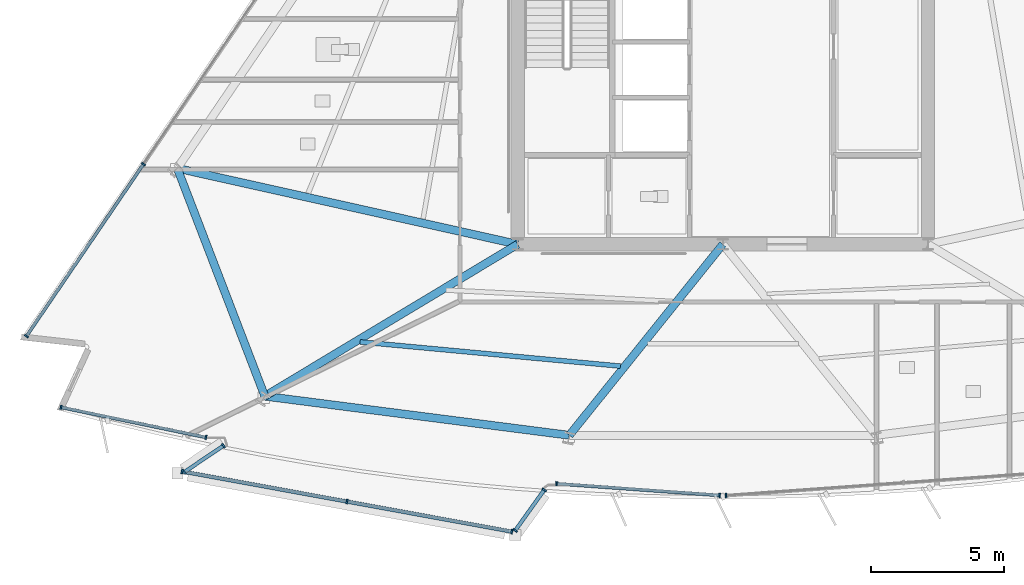
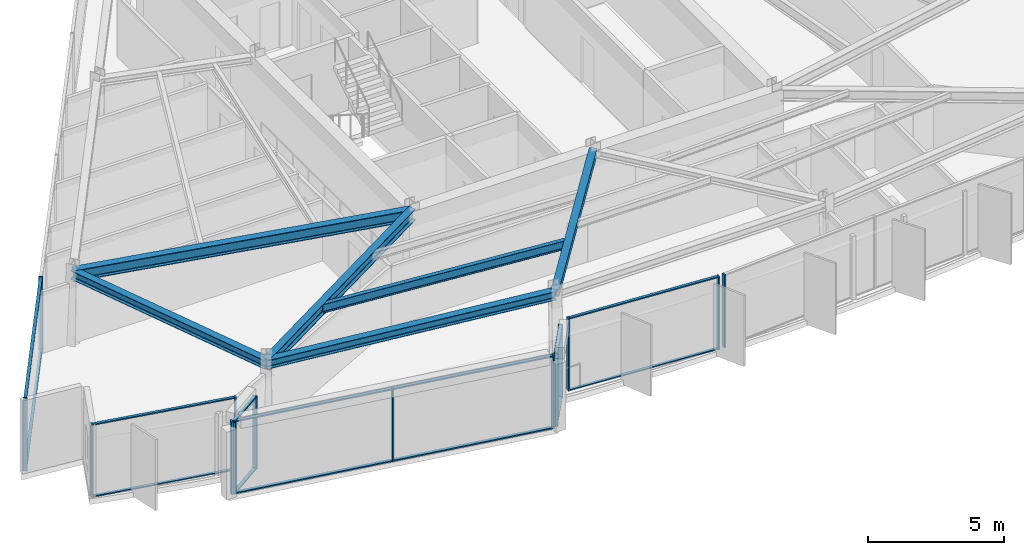
# One storey, part 2 of 14: 28 members, 6 beams, 7 elements without a shape of their own.
"""IFC4 building model written with IfcOpenShell, lengths in metres."""

from ifc_helpers import new_model, si_unit, direction, frame, origin, origin_2d, place, context, subcontext, project, spatial, rectangle, i_section, extrude, material, material_profile, profile_set, type_object, element, aggregate, save


model = new_model("IFC4")

# Units and contexts
model_context = context("Model", 3, precision=1e-05, world=origin(), true_north=direction((0.0, 1.0)))
body_context = subcontext(model_context, "Body", "Model", "MODEL_VIEW")
ifc_project = project(units=[si_unit("LENGTHUNIT", "METRE"), si_unit("AREAUNIT", "SQUARE_METRE"), si_unit("VOLUMEUNIT", "CUBIC_METRE"), si_unit("PLANEANGLEUNIT", "RADIAN"), si_unit("MASSUNIT", "GRAM", prefix="KILO")], contexts=[model_context])

# Site, building, storey
site_placement = place(None, origin())
site = spatial("IfcSite", under=ifc_project, at=site_placement, CompositionType="ELEMENT")
building_placement = place(site_placement, origin())
building = spatial("IfcBuilding", under=site, at=building_placement, Name="Savorim Split Tower", CompositionType="ELEMENT")
storey_placement = place(building_placement, frame((0.0, 0.0, 181.800048828125)))
storey = spatial("IfcBuildingStorey", under=building, at=storey_placement, Name="L48", CompositionType="ELEMENT", Elevation=181.800048828125)

# Beams
ifc_material_1 = material(Name="Steel S355", Category="steel")
ifc_material_profile_1 = material_profile(ifc_material_1, i_section(OverallWidth=0.179931640625, OverallDepth=0.39990234375, WebThickness=0.008544921875, FlangeThickness=0.013427734375, FilletRadius=0.02099609375, at=origin_2d()), Name="IPE 400")
ifc_profile_set_1 = profile_set([ifc_material_profile_1], Name="Steel S355")
beam_type_1 = type_object("IfcBeamType", Name="BM-JST-IPE400", PredefinedType="JOIST", material=ifc_profile_set_1)
beam_1_placement = place(storey_placement, frame((-13.614501953125, -13.0634765625, 3.079833984375), z_axis=(0.995693793478, -0.092703126314, 0.0), x_axis=(0.092703126314, 0.995693793478, 0.0)))
element("IfcBeam", 1, at=beam_1_placement, inside=storey, type_object=beam_type_1, Name="L48 Secondary Floor Joist JS-01", PredefinedType="JOIST", context=body_context, shape_type="SweptSolid", body=[
    extrude(i_section(OverallWidth=0.179931640625, OverallDepth=0.39990234375, WebThickness=0.008544921875, FlangeThickness=0.013427734375, FilletRadius=0.02099609375, at=origin_2d()), origin(), (0.0, 0.0, 1.0), 9.81005859375),
])
ifc_material_profile_2 = material_profile(ifc_material_1, i_section(OverallWidth=0.300048828125, OverallDepth=0.320068359375, WebThickness=0.011474609375, FlangeThickness=0.0205078125, FilletRadius=0.027099609375, at=origin_2d()), Name="HEB 320")
ifc_profile_set_2 = profile_set([ifc_material_profile_2], Name="Steel S355")
beam_type_2 = type_object("IfcBeamType", Name="BM-PRI-HEB320", PredefinedType="BEAM", material=ifc_profile_set_2)
beam_2_placement = place(storey_placement, frame((-5.761474609375, -16.568359375, 3.119873046875), z_axis=(0.626464268403, 0.779450139787, 0.0), x_axis=(-0.779450139787, 0.626464268403, 0.0)))
element("IfcBeam", 2, at=beam_2_placement, inside=storey, type_object=beam_type_2, Name="L48 Primary Floor Girder RG-02", PredefinedType="BEAM", context=body_context, shape_type="SweptSolid", body=[
    extrude(i_section(OverallWidth=0.300048828125, OverallDepth=0.320068359375, WebThickness=0.011474609375, FlangeThickness=0.0205078125, FilletRadius=0.027099609375, at=origin_2d()), origin(), (0.0, 0.0, 1.0), 9.19677734375),
])
ifc_material_profile_3 = material_profile(ifc_material_1, i_section(OverallWidth=0.300048828125, OverallDepth=0.5, WebThickness=0.014404296875, FlangeThickness=0.028076171875, FilletRadius=0.027099609375, at=origin_2d()), Name="HEB 500")
ifc_profile_set_3 = profile_set([ifc_material_profile_3], Name="Steel S355")
beam_type_3 = type_object("IfcBeamType", Name="BM-PRI-HEB500", PredefinedType="BEAM", material=ifc_profile_set_3)
beam_3_placement = place(storey_placement, frame((-17.190185546875, -15.10107421875, 3.030029296875), z_axis=(0.857212606061, 0.514962666617, 0.0), x_axis=(-0.514962666617, 0.857212606061, 0.0)))
element("IfcBeam", 3, at=beam_3_placement, inside=storey, type_object=beam_type_3, Name="L48 Primary Floor Girder RG-01", PredefinedType="BEAM", context=body_context, shape_type="SweptSolid", body=[
    extrude(i_section(OverallWidth=0.300048828125, OverallDepth=0.5, WebThickness=0.014404296875, FlangeThickness=0.028076171875, FilletRadius=0.027099609375, at=origin_2d()), origin(), (0.0, 0.0, 1.0), 11.071044921875),
])
beam_4_placement = place(storey_placement, frame((-20.4755859375, -6.546142578125, 3.030029296875), z_axis=(0.97594818708, -0.218002605798, 0.0), x_axis=(0.218002605798, 0.97594818708, 0.0)))
element("IfcBeam", 4, at=beam_4_placement, inside=storey, type_object=beam_type_3, Name="L48 Primary Floor Girder RG-10", PredefinedType="BEAM", context=body_context, shape_type="SweptSolid", body=[
    extrude(i_section(OverallWidth=0.300048828125, OverallDepth=0.5, WebThickness=0.014404296875, FlangeThickness=0.028076171875, FilletRadius=0.027099609375, at=origin_2d()), origin(), (0.0, 0.0, 1.0), 13.090576171875),
])
ifc_material_profile_4 = material_profile(ifc_material_1, i_section(OverallWidth=0.300048828125, OverallDepth=0.389892578125, WebThickness=0.010986328125, FlangeThickness=0.01904296875, FilletRadius=0.027099609375, at=origin_2d()), Name="HEA 400")
ifc_profile_set_4 = profile_set([ifc_material_profile_4], Name="Steel S355")
beam_type_4 = type_object("IfcBeamType", Name="BM-SPN-HEA400", PredefinedType="SPANDREL", material=ifc_profile_set_4)
beam_5_placement = place(storey_placement, frame((-17.190185546875, -15.10107421875, 3.0849609375), z_axis=(0.991859035533, -0.127340699042, 0.0), x_axis=(0.127340699042, 0.991859035533, 0.0)))
element("IfcBeam", 5, at=beam_5_placement, inside=storey, type_object=beam_type_4, Name="L48 Perimeter Spandrel Beam 1", PredefinedType="SPANDREL", context=body_context, shape_type="SweptSolid", body=[
    extrude(i_section(OverallWidth=0.300048828125, OverallDepth=0.389892578125, WebThickness=0.010986328125, FlangeThickness=0.01904296875, FilletRadius=0.027099609375, at=origin_2d()), origin(), (0.0, 0.0, 1.0), 11.5224609375),
])
beam_6_placement = place(storey_placement, frame((-20.4755859375, -6.546142578125, 3.0849609375), z_axis=(0.358507735292, -0.933526755768, 0.0), x_axis=(0.933526755768, 0.358507735292, 0.0)))
element("IfcBeam", 6, at=beam_6_placement, inside=storey, type_object=beam_type_4, Name="L48 Perimeter Spandrel Beam 10", PredefinedType="SPANDREL", context=body_context, shape_type="SweptSolid", body=[
    extrude(i_section(OverallWidth=0.300048828125, OverallDepth=0.389892578125, WebThickness=0.010986328125, FlangeThickness=0.01904296875, FilletRadius=0.027099609375, at=origin_2d()), origin(), (0.0, 0.0, 1.0), 9.1640625),
])

# Curtain wall, members
ifc_material_2 = material(Name="Dark Ceramic-Fritted Insulated Glass", Category="glass")
curtain_wall_type_1 = type_object("IfcCurtainWallType", Name="CW-TWR-FRIT-B", PredefinedType="NOTDEFINED", material=ifc_material_2)
curtain_wall_1_placement = place(storey_placement, origin())
curtain_wall_1 = element("IfcCurtainWall", 7, at=curtain_wall_1_placement, inside=storey, type_object=curtain_wall_type_1, Name="L48 Curtain Wall CW-L48-SF1A", PredefinedType="NOTDEFINED")
ifc_material_3 = material(Name="Charcoal Anodised Aluminium", Category="aluminium")
ifc_material_profile_5 = material_profile(ifc_material_3, rectangle(XDim=0.159912109375, YDim=0.06005859375, at=origin_2d()), Name="ALU-M 160x60")
ifc_profile_set_5 = profile_set([ifc_material_profile_5], Name="Charcoal Anodised Aluminium")
member_type_1 = type_object("IfcMemberType", Name="CWM-160x60", PredefinedType="MULLION", material=ifc_profile_set_5)
member_1_placement = place(storey_placement, frame((-24.84033203125, -15.516845703125, 0.0), z_axis=(0.0, 0.0, 1.0), x_axis=(0.203220966883, 0.979132901408, 0.0)))
member_1 = element("IfcMember", 8, at=member_1_placement, type_object=member_type_1, Name="CW-03 mullion 1", PredefinedType="MULLION", context=body_context, shape_type="SweptSolid", body=[
    extrude(rectangle(XDim=0.159912109375, YDim=0.06005859375, at=origin_2d()), origin(), (0.0, 0.0, 1.0), 3.280029296875),
])
member_2_placement = place(storey_placement, frame((-19.401123046875, -16.645751953125, 0.0), z_axis=(0.0, 0.0, 1.0), x_axis=(0.203220966883, 0.979132901408, 0.0)))
member_2 = element("IfcMember", 9, at=member_2_placement, type_object=member_type_1, Name="CW-03 mullion 2", PredefinedType="MULLION", context=body_context, shape_type="SweptSolid", body=[
    extrude(rectangle(XDim=0.159912109375, YDim=0.06005859375, at=origin_2d()), origin(), (0.0, 0.0, 1.0), 3.280029296875),
])

curtain_wall_2_placement = place(storey_placement, origin())
curtain_wall_2 = element("IfcCurtainWall", 10, at=curtain_wall_2_placement, inside=storey, type_object=curtain_wall_type_1, Name="L48 Curtain Wall CW-L48-SF2A", PredefinedType="NOTDEFINED")
member_3_placement = place(storey_placement, frame((-6.239990234375, -18.384033203125, 0.0), z_axis=(0.0, 0.0, 1.0), x_axis=(0.07156138189, 0.99743619777, 0.0)))
member_3 = element("IfcMember", 11, at=member_3_placement, type_object=member_type_1, Name="CW-03 mullion 1", PredefinedType="MULLION", context=body_context, shape_type="SweptSolid", body=[
    extrude(rectangle(XDim=0.159912109375, YDim=0.06005859375, at=origin_2d()), origin(), (0.0, 0.0, 1.0), 3.280029296875),
])
member_4_placement = place(storey_placement, frame((-0.12109375, -18.822998046875, 0.0), z_axis=(0.0, 0.0, 1.0), x_axis=(0.07156138189, 0.99743619777, 0.0)))
member_4 = element("IfcMember", 12, at=member_4_placement, type_object=member_type_1, Name="CW-03 mullion 2", PredefinedType="MULLION", context=body_context, shape_type="SweptSolid", body=[
    extrude(rectangle(XDim=0.159912109375, YDim=0.06005859375, at=origin_2d()), origin(), (0.0, 0.0, 1.0), 3.280029296875),
])

# Curtain wall, member
curtain_wall_3_placement = place(storey_placement, origin())
curtain_wall_3 = element("IfcCurtainWall", 13, at=curtain_wall_3_placement, inside=storey, type_object=curtain_wall_type_1, Name="L48 Curtain Wall CW-L48-SF3A", PredefinedType="NOTDEFINED")
member_5_placement = place(storey_placement, frame((0.12109375, -18.822998046875, 0.0), z_axis=(0.0, 0.0, 1.0), x_axis=(-0.07155928658, 0.997436348097, 0.0)))
member_5 = element("IfcMember", 14, at=member_5_placement, type_object=member_type_1, Name="CW-03 mullion 1", PredefinedType="MULLION", context=body_context, shape_type="SweptSolid", body=[
    extrude(rectangle(XDim=0.159912109375, YDim=0.06005859375, at=origin_2d()), origin(), (0.0, 0.0, 1.0), 3.280029296875),
])
aggregate(curtain_wall_3, [member_5])

# Curtain wall, members
curtain_wall_4_placement = place(storey_placement, origin())
curtain_wall_4 = element("IfcCurtainWall", 15, at=curtain_wall_4_placement, inside=storey, type_object=curtain_wall_type_1, Name="L48 Curtain Wall CW-L48-WEST", PredefinedType="NOTDEFINED")
member_6_placement = place(storey_placement, frame((-21.74560546875, -6.392333984375, 0.0), z_axis=(0.0, 0.0, 1.0), x_axis=(0.826819248854, -0.562467714384, 0.0)))
member_6 = element("IfcMember", 16, at=member_6_placement, type_object=member_type_1, Name="CW-03 mullion 4", PredefinedType="MULLION", context=body_context, shape_type="SweptSolid", body=[
    extrude(rectangle(XDim=0.159912109375, YDim=0.06005859375, at=origin_2d()), origin(), (0.0, 0.0, 1.0), 3.280029296875),
])
member_7_placement = place(storey_placement, frame((-26.13818359375, -12.849365234375, 0.0), z_axis=(0.0, 0.0, 1.0), x_axis=(0.826819248854, -0.562467714384, 0.0)))
member_7 = element("IfcMember", 17, at=member_7_placement, type_object=member_type_1, Name="CW-03 mullion 5", PredefinedType="MULLION", context=body_context, shape_type="SweptSolid", body=[
    extrude(rectangle(XDim=0.159912109375, YDim=0.06005859375, at=origin_2d()), origin(), (0.0, 0.0, 1.0), 3.280029296875),
])

curtain_wall_type_2 = type_object("IfcCurtainWallType", Name="CW-BAY-LOUNGE", PredefinedType="NOTDEFINED", material=ifc_material_2)
curtain_wall_5_placement = place(storey_placement, origin())
curtain_wall_5 = element("IfcCurtainWall", 18, at=curtain_wall_5_placement, inside=storey, type_object=curtain_wall_type_2, Name="L48 Curtain Wall CW-L48-BAYF", PredefinedType="NOTDEFINED")
ifc_material_profile_6 = material_profile(ifc_material_3, rectangle(XDim=0.179931640625, YDim=0.06494140625, at=origin_2d()), Name="ALU-M 180x65")
ifc_profile_set_6 = profile_set([ifc_material_profile_6], Name="Charcoal Anodised Aluminium")
member_type_2 = type_object("IfcMemberType", Name="CWM-180x65", PredefinedType="MULLION", material=ifc_profile_set_6)
member_8_placement = place(storey_placement, frame((-20.294677734375, -17.925048828125, 0.0), z_axis=(0.0, 0.0, 1.0), x_axis=(0.17951808442, 0.983754673364, 0.0)))
member_8 = element("IfcMember", 19, at=member_8_placement, type_object=member_type_2, Name="CW-04 mullion 1", PredefinedType="MULLION", context=body_context, shape_type="SweptSolid", body=[
    extrude(rectangle(XDim=0.179931640625, YDim=0.06494140625, at=origin_2d()), origin(), (0.0, 0.0, 1.0), 3.280029296875),
])
member_9_placement = place(storey_placement, frame((-14.107666015625, -19.053955078125, 0.0), z_axis=(0.0, 0.0, 1.0), x_axis=(0.17951808442, 0.983754673364, 0.0)))
member_9 = element("IfcMember", 20, at=member_9_placement, type_object=member_type_2, Name="CW-04 mullion 2", PredefinedType="MULLION", context=body_context, shape_type="SweptSolid", body=[
    extrude(rectangle(XDim=0.179931640625, YDim=0.06494140625, at=origin_2d()), origin(), (0.0, 0.0, 1.0), 3.280029296875),
])
member_10_placement = place(storey_placement, frame((-7.920654296875, -20.182861328125, 0.0), z_axis=(0.0, 0.0, 1.0), x_axis=(0.17951808442, 0.983754673364, 0.0)))
member_10 = element("IfcMember", 21, at=member_10_placement, type_object=member_type_2, Name="CW-04 mullion 3", PredefinedType="MULLION", context=body_context, shape_type="SweptSolid", body=[
    extrude(rectangle(XDim=0.179931640625, YDim=0.06494140625, at=origin_2d()), origin(), (0.0, 0.0, 1.0), 3.280029296875),
])

curtain_wall_6_placement = place(storey_placement, origin())
curtain_wall_6 = element("IfcCurtainWall", 22, at=curtain_wall_6_placement, inside=storey, type_object=curtain_wall_type_2, Name="L48 Curtain Wall CW-L48-BAYW", PredefinedType="NOTDEFINED")
member_11_placement = place(storey_placement, frame((-18.74169921875, -16.957275390625, 0.0), z_axis=(0.0, 0.0, 1.0), x_axis=(0.558630218743, -0.829416830494, 0.0)))
member_11 = element("IfcMember", 23, at=member_11_placement, type_object=member_type_2, Name="CW-04 mullion 1", PredefinedType="MULLION", context=body_context, shape_type="SweptSolid", body=[
    extrude(rectangle(XDim=0.179931640625, YDim=0.06494140625, at=origin_2d()), origin(), (0.0, 0.0, 1.0), 3.280029296875),
])
member_12_placement = place(storey_placement, frame((-20.209716796875, -17.946044921875, 0.0), z_axis=(0.0, 0.0, 1.0), x_axis=(0.558630218743, -0.829416830494, 0.0)))
member_12 = element("IfcMember", 24, at=member_12_placement, type_object=member_type_2, Name="CW-04 mullion 2", PredefinedType="MULLION", context=body_context, shape_type="SweptSolid", body=[
    extrude(rectangle(XDim=0.179931640625, YDim=0.06494140625, at=origin_2d()), origin(), (0.0, 0.0, 1.0), 3.280029296875),
])

curtain_wall_7_placement = place(storey_placement, origin())
curtain_wall_7 = element("IfcCurtainWall", 25, at=curtain_wall_7_placement, inside=storey, type_object=curtain_wall_type_2, Name="L48 Curtain Wall CW-L48-BAYE", PredefinedType="NOTDEFINED")
member_13_placement = place(storey_placement, frame((-7.79296875, -20.142822265625, 0.0), z_axis=(0.0, 0.0, 1.0), x_axis=(-0.813834464468, 0.581096777176, 0.0)))
member_13 = element("IfcMember", 26, at=member_13_placement, type_object=member_type_2, Name="CW-04 mullion 1", PredefinedType="MULLION", context=body_context, shape_type="SweptSolid", body=[
    extrude(rectangle(XDim=0.179931640625, YDim=0.06494140625, at=origin_2d()), origin(), (0.0, 0.0, 1.0), 3.280029296875),
])
member_14_placement = place(storey_placement, frame((-6.703369140625, -18.616943359375, 0.0), z_axis=(0.0, 0.0, 1.0), x_axis=(-0.813834464468, 0.581096777176, 0.0)))
member_14 = element("IfcMember", 27, at=member_14_placement, type_object=member_type_2, Name="CW-04 mullion 2", PredefinedType="MULLION", context=body_context, shape_type="SweptSolid", body=[
    extrude(rectangle(XDim=0.179931640625, YDim=0.06494140625, at=origin_2d()), origin(), (0.0, 0.0, 1.0), 3.280029296875),
])

# Member
ifc_material_profile_7 = material_profile(ifc_material_3, rectangle(XDim=0.1201171875, YDim=0.050048828125, at=origin_2d()), Name="ALU-T 120x50")
ifc_profile_set_7 = profile_set([ifc_material_profile_7], Name="Charcoal Anodised Aluminium")
member_type_3 = type_object("IfcMemberType", Name="CWT-120x50", PredefinedType="USERDEFINED", material=ifc_profile_set_7)
member_15_placement = place(storey_placement, frame((-24.81103515625, -15.52294921875, 0.02490234375), z_axis=(0.979133170264, -0.203219671512, 0.0), x_axis=(0.203219671512, 0.979133170264, 0.0)))
member_15 = element("IfcMember", 28, at=member_15_placement, type_object=member_type_3, Name="CW-03 transom 1.1", ObjectType="TRANSOM", PredefinedType="USERDEFINED", context=body_context, shape_type="SweptSolid", body=[
    extrude(rectangle(XDim=0.1201171875, YDim=0.050048828125, at=origin_2d()), origin(), (0.0, 0.0, 1.0), 5.4951171875),
])

member_16_placement = place(storey_placement, frame((-24.81103515625, -15.52294921875, 3.2548828125), z_axis=(0.979133170264, -0.203219671512, 0.0), x_axis=(0.203219671512, 0.979133170264, 0.0)))
member_16 = element("IfcMember", 29, at=member_16_placement, type_object=member_type_3, Name="CW-03 transom 1.2", ObjectType="TRANSOM", PredefinedType="USERDEFINED", context=body_context, shape_type="SweptSolid", body=[
    extrude(rectangle(XDim=0.1201171875, YDim=0.050048828125, at=origin_2d()), origin(), (0.0, 0.0, 1.0), 5.4951171875),
])

aggregate(curtain_wall_1, [member_1, member_2, member_15, member_16])

member_17_placement = place(storey_placement, frame((-6.210205078125, -18.38623046875, 0.02490234375), z_axis=(0.997437848201, -0.071538374156, 0.0), x_axis=(0.071538374156, 0.997437848201, 0.0)))
member_17 = element("IfcMember", 30, at=member_17_placement, type_object=member_type_3, Name="CW-03 transom 1.1", ObjectType="TRANSOM", PredefinedType="USERDEFINED", context=body_context, shape_type="SweptSolid", body=[
    extrude(rectangle(XDim=0.1201171875, YDim=0.050048828125, at=origin_2d()), origin(), (0.0, 0.0, 1.0), 6.07470703125),
])

member_18_placement = place(storey_placement, frame((-6.210205078125, -18.38623046875, 3.2548828125), z_axis=(0.997437848201, -0.071538374156, 0.0), x_axis=(0.071538374156, 0.997437848201, 0.0)))
member_18 = element("IfcMember", 31, at=member_18_placement, type_object=member_type_3, Name="CW-03 transom 1.2", ObjectType="TRANSOM", PredefinedType="USERDEFINED", context=body_context, shape_type="SweptSolid", body=[
    extrude(rectangle(XDim=0.1201171875, YDim=0.050048828125, at=origin_2d()), origin(), (0.0, 0.0, 1.0), 6.07470703125),
])

aggregate(curtain_wall_2, [member_3, member_4, member_17, member_18])

member_19_placement = place(storey_placement, frame((-21.762451171875, -6.4169921875, 0.02490234375), z_axis=(-0.56245477499, -0.826828051103, 0.0), x_axis=(0.826828051103, -0.56245477499, 0.0)))
member_19 = element("IfcMember", 32, at=member_19_placement, type_object=member_type_3, Name="CW-03 transom 4.1", ObjectType="TRANSOM", PredefinedType="USERDEFINED", context=body_context, shape_type="SweptSolid", body=[
    extrude(rectangle(XDim=0.1201171875, YDim=0.050048828125, at=origin_2d()), origin(), (0.0, 0.0, 1.0), 7.749755859375),
])

member_20_placement = place(storey_placement, frame((-21.762451171875, -6.4169921875, 3.2548828125), z_axis=(-0.56245477499, -0.826828051103, 0.0), x_axis=(0.826828051103, -0.56245477499, 0.0)))
member_20 = element("IfcMember", 33, at=member_20_placement, type_object=member_type_3, Name="CW-03 transom 4.2", ObjectType="TRANSOM", PredefinedType="USERDEFINED", context=body_context, shape_type="SweptSolid", body=[
    extrude(rectangle(XDim=0.1201171875, YDim=0.050048828125, at=origin_2d()), origin(), (0.0, 0.0, 1.0), 7.749755859375),
])

aggregate(curtain_wall_4, [member_6, member_7, member_19, member_20])

ifc_material_profile_8 = material_profile(ifc_material_3, rectangle(XDim=0.139892578125, YDim=0.054931640625, at=origin_2d()), Name="ALU-T 140x55")
ifc_profile_set_8 = profile_set([ifc_material_profile_8], Name="Charcoal Anodised Aluminium")
member_type_4 = type_object("IfcMemberType", Name="CWT-140x55", PredefinedType="USERDEFINED", material=ifc_profile_set_8)
member_21_placement = place(storey_placement, frame((-20.2626953125, -17.9306640625, 0.02734375), z_axis=(0.983752338434, -0.179530879307, 0.0), x_axis=(0.179530879307, 0.983752338434, 0.0)))
member_21 = element("IfcMember", 34, at=member_21_placement, type_object=member_type_4, Name="CW-04 transom 1.1", ObjectType="TRANSOM", PredefinedType="USERDEFINED", context=body_context, shape_type="SweptSolid", body=[
    extrude(rectangle(XDim=0.139892578125, YDim=0.054931640625, at=origin_2d()), origin(), (0.0, 0.0, 1.0), 6.22412109375),
])

member_22_placement = place(storey_placement, frame((-20.2626953125, -17.9306640625, 3.25244140625), z_axis=(0.983752338434, -0.179530879307, 0.0), x_axis=(0.179530879307, 0.983752338434, 0.0)))
member_22 = element("IfcMember", 35, at=member_22_placement, type_object=member_type_4, Name="CW-04 transom 1.2", ObjectType="TRANSOM", PredefinedType="USERDEFINED", context=body_context, shape_type="SweptSolid", body=[
    extrude(rectangle(XDim=0.139892578125, YDim=0.054931640625, at=origin_2d()), origin(), (0.0, 0.0, 1.0), 6.22412109375),
])

member_23_placement = place(storey_placement, frame((-14.07568359375, -19.059814453125, 0.02734375), z_axis=(0.983752338434, -0.179530879307, 0.0), x_axis=(0.179530879307, 0.983752338434, 0.0)))
member_23 = element("IfcMember", 36, at=member_23_placement, type_object=member_type_4, Name="CW-04 transom 2.1", ObjectType="TRANSOM", PredefinedType="USERDEFINED", context=body_context, shape_type="SweptSolid", body=[
    extrude(rectangle(XDim=0.139892578125, YDim=0.054931640625, at=origin_2d()), origin(), (0.0, 0.0, 1.0), 6.22412109375),
])

member_24_placement = place(storey_placement, frame((-14.07568359375, -19.059814453125, 3.25244140625), z_axis=(0.983752338434, -0.179530879307, 0.0), x_axis=(0.179530879307, 0.983752338434, 0.0)))
member_24 = element("IfcMember", 37, at=member_24_placement, type_object=member_type_4, Name="CW-04 transom 2.2", ObjectType="TRANSOM", PredefinedType="USERDEFINED", context=body_context, shape_type="SweptSolid", body=[
    extrude(rectangle(XDim=0.139892578125, YDim=0.054931640625, at=origin_2d()), origin(), (0.0, 0.0, 1.0), 6.22412109375),
])

aggregate(curtain_wall_5, [member_8, member_9, member_10, member_21, member_22, member_23, member_24])

member_25_placement = place(storey_placement, frame((-18.7685546875, -16.9755859375, 0.02734375), z_axis=(-0.829464003878, -0.558560172471, 0.0), x_axis=(0.558560172471, -0.829464003878, 0.0)))
member_25 = element("IfcMember", 38, at=member_25_placement, type_object=member_type_4, Name="CW-04 transom 1.1", ObjectType="TRANSOM", PredefinedType="USERDEFINED", context=body_context, shape_type="SweptSolid", body=[
    extrude(rectangle(XDim=0.139892578125, YDim=0.054931640625, at=origin_2d()), origin(), (0.0, 0.0, 1.0), 1.705078125),
])

member_26_placement = place(storey_placement, frame((-18.7685546875, -16.9755859375, 3.25244140625), z_axis=(-0.829464003878, -0.558560172471, 0.0), x_axis=(0.558560172471, -0.829464003878, 0.0)))
member_26 = element("IfcMember", 39, at=member_26_placement, type_object=member_type_4, Name="CW-04 transom 1.2", ObjectType="TRANSOM", PredefinedType="USERDEFINED", context=body_context, shape_type="SweptSolid", body=[
    extrude(rectangle(XDim=0.139892578125, YDim=0.054931640625, at=origin_2d()), origin(), (0.0, 0.0, 1.0), 1.705078125),
])

aggregate(curtain_wall_6, [member_11, member_12, member_25, member_26])

member_27_placement = place(storey_placement, frame((-7.774169921875, -20.1162109375, 0.02734375), z_axis=(0.581123345743, 0.813815493237, 0.0), x_axis=(-0.813815493237, 0.581123345743, 0.0)))
member_27 = element("IfcMember", 40, at=member_27_placement, type_object=member_type_4, Name="CW-04 transom 1.1", ObjectType="TRANSOM", PredefinedType="USERDEFINED", context=body_context, shape_type="SweptSolid", body=[
    extrude(rectangle(XDim=0.139892578125, YDim=0.054931640625, at=origin_2d()), origin(), (0.0, 0.0, 1.0), 1.809814453125),
])

member_28_placement = place(storey_placement, frame((-7.774169921875, -20.1162109375, 3.25244140625), z_axis=(0.581123345743, 0.813815493237, 0.0), x_axis=(-0.813815493237, 0.581123345743, 0.0)))
member_28 = element("IfcMember", 41, at=member_28_placement, type_object=member_type_4, Name="CW-04 transom 1.2", ObjectType="TRANSOM", PredefinedType="USERDEFINED", context=body_context, shape_type="SweptSolid", body=[
    extrude(rectangle(XDim=0.139892578125, YDim=0.054931640625, at=origin_2d()), origin(), (0.0, 0.0, 1.0), 1.809814453125),
])

aggregate(curtain_wall_7, [member_13, member_14, member_27, member_28])

save(model, "model.ifc")
